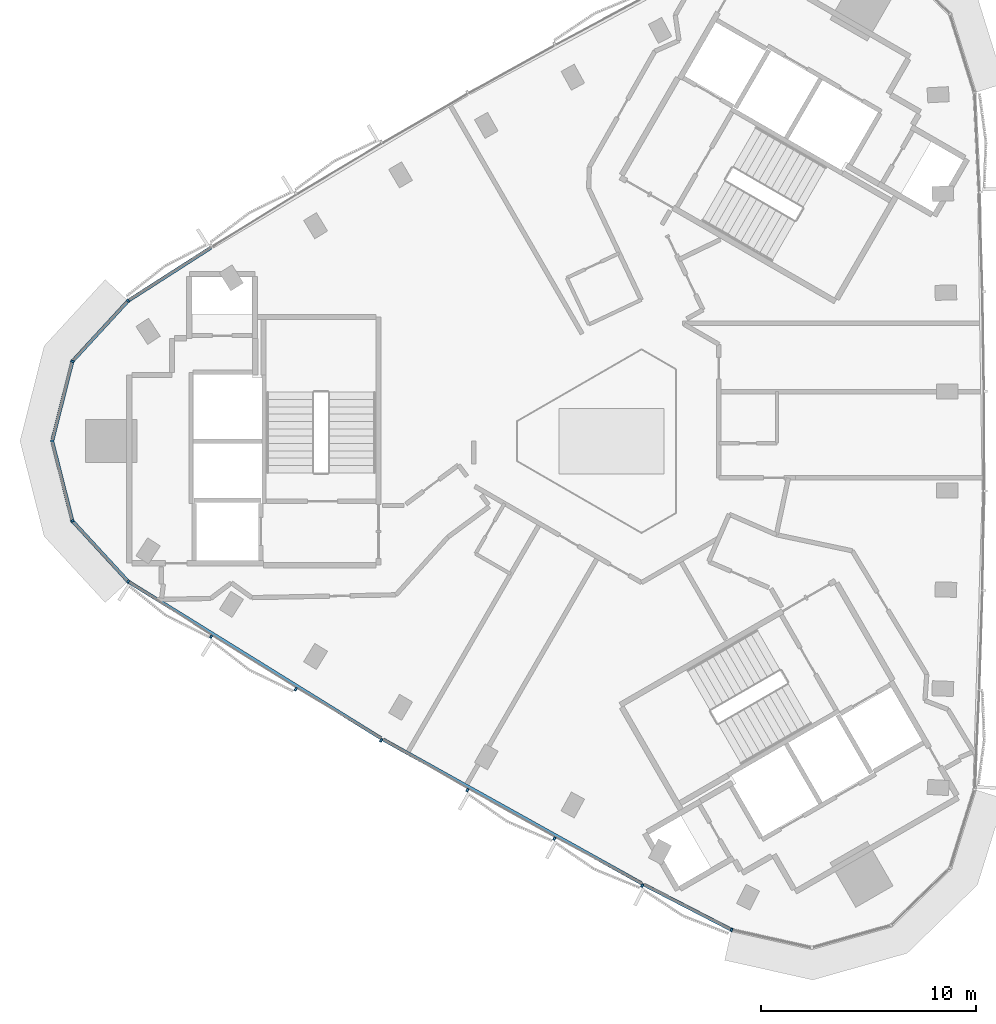
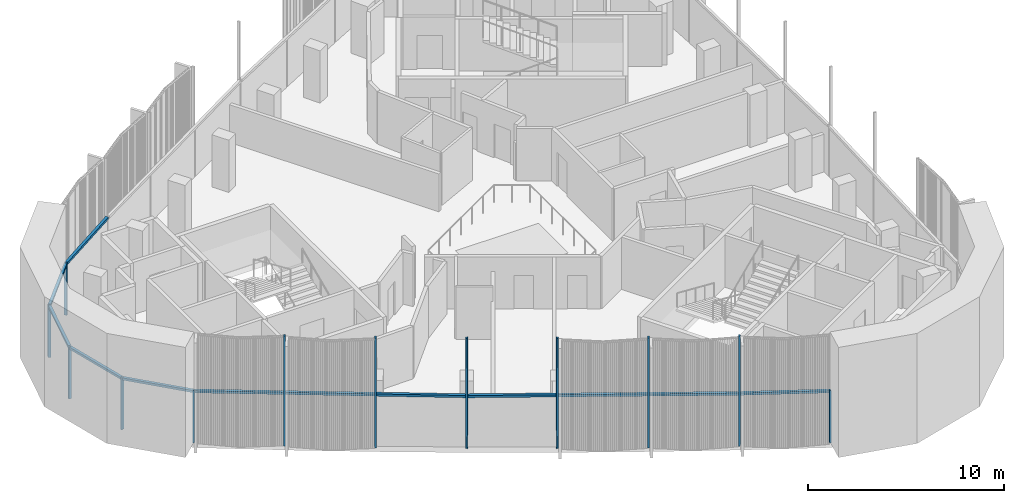
# One storey, part 2 of 12: 20 members, 2 elements without a shape of their own.
"""IFC4 building model written with IfcOpenShell, lengths in metres."""

from ifc_helpers import new_model, si_unit, direction, frame, origin, origin_2d, place, context, subcontext, project, spatial, rectangle, extrude, material, material_profile, profile_set, type_object, element, aggregate, save


model = new_model("IFC4")

# Units and contexts
model_context = context("Model", 3, precision=1e-05, world=origin(), true_north=direction((0.0, 1.0)))
body_context = subcontext(model_context, "Body", "Model", "MODEL_VIEW")
ifc_project = project(units=[si_unit("LENGTHUNIT", "METRE"), si_unit("AREAUNIT", "SQUARE_METRE"), si_unit("VOLUMEUNIT", "CUBIC_METRE"), si_unit("PLANEANGLEUNIT", "RADIAN"), si_unit("MASSUNIT", "GRAM", prefix="KILO")], contexts=[model_context])

# Site, building, storey
site_placement = place(None, origin())
site = spatial("IfcSite", under=ifc_project, at=site_placement, CompositionType="ELEMENT")
building_placement = place(site_placement, origin())
building = spatial("IfcBuilding", under=site, at=building_placement, Name="Tamra Quay Hotel Tower", CompositionType="ELEMENT")
storey_placement = place(building_placement, frame((0.0, 0.0, 262.199951171875)))
storey = spatial("IfcBuildingStorey", under=building, at=storey_placement, Name="L66", CompositionType="ELEMENT", Elevation=262.199951171875)

# Curtain wall, members
ifc_material = material(Name="Aluminium 6063 anodised dark grey", Category="aluminium")
curtain_wall_type_1 = type_object("IfcCurtainWallType", Name="CW2 CURTAIN WALL", PredefinedType="NOTDEFINED", material=ifc_material)
curtain_wall_1_placement = place(storey_placement, origin())
curtain_wall_1 = element("IfcCurtainWall", 1, at=curtain_wall_1_placement, inside=storey, type_object=curtain_wall_type_1, Name="CW2 north-west face L66", PredefinedType="NOTDEFINED")
ifc_material_profile_1 = material_profile(ifc_material, rectangle(XDim=0.159912109375, YDim=0.10009765625, at=origin_2d()), Name="MULLION 100X160")
ifc_profile_set_1 = profile_set([ifc_material_profile_1], Name="Aluminium 6063 anodised dark grey")
member_type_1 = type_object("IfcMemberType", Name="MULLION CW2 Z6", PredefinedType="MULLION", material=ifc_profile_set_1)
member_1_placement = place(storey_placement, frame((-22.488525390625, 6.530517578125, 0.0), z_axis=(0.0, 0.0, 1.0), x_axis=(-0.643086474198, 0.765793566638, 0.0)))
member_1 = element("IfcMember", 2, at=member_1_placement, type_object=member_type_1, Name="CW2 mullion L66.NW.8", PredefinedType="MULLION", context=body_context, shape_type="SweptSolid", body=[
    extrude(rectangle(XDim=0.159912109375, YDim=0.10009765625, at=origin_2d()), origin(), (0.0, 0.0, 1.0), 3.25),
])
member_2_placement = place(storey_placement, frame((-25.0830078125, 3.712890625, 0.0), z_axis=(0.0, 0.0, 1.0), x_axis=(-0.879433050093, 0.476022594427, 0.0)))
member_2 = element("IfcMember", 3, at=member_2_placement, type_object=member_type_1, Name="CW2 mullion L66.NW.9", PredefinedType="MULLION", context=body_context, shape_type="SweptSolid", body=[
    extrude(rectangle(XDim=0.159912109375, YDim=0.10009765625, at=origin_2d()), origin(), (0.0, 0.0, 1.0), 3.25),
])
member_3_placement = place(storey_placement, frame((-26.0234375, 0.0, 0.0), z_axis=(0.0, 0.0, 1.0), x_axis=(-1.0, 0.0, 0.0)))
member_3 = element("IfcMember", 4, at=member_3_placement, type_object=member_type_1, Name="CW2 mullion L66.NW.10", PredefinedType="MULLION", context=body_context, shape_type="SweptSolid", body=[
    extrude(rectangle(XDim=0.159912109375, YDim=0.10009765625, at=origin_2d()), origin(), (0.0, 0.0, 1.0), 3.25),
])
member_4_placement = place(storey_placement, frame((-25.0830078125, -3.712890625, 0.0), z_axis=(0.0, 0.0, 1.0), x_axis=(-0.879433050093, -0.476022594427, 0.0)))
member_4 = element("IfcMember", 5, at=member_4_placement, type_object=member_type_1, Name="CW2 mullion L66.NW.11", PredefinedType="MULLION", context=body_context, shape_type="SweptSolid", body=[
    extrude(rectangle(XDim=0.159912109375, YDim=0.10009765625, at=origin_2d()), origin(), (0.0, 0.0, 1.0), 3.25),
])

curtain_wall_type_2 = type_object("IfcCurtainWallType", Name="CW3 CURTAIN WALL", PredefinedType="NOTDEFINED", material=ifc_material)
curtain_wall_2_placement = place(storey_placement, origin())
curtain_wall_2 = element("IfcCurtainWall", 6, at=curtain_wall_2_placement, inside=storey, type_object=curtain_wall_type_2, Name="CW3 south-west face L66", PredefinedType="NOTDEFINED")
ifc_material_profile_2 = material_profile(ifc_material, rectangle(XDim=0.159912109375, YDim=0.10009765625, at=origin_2d()), Name="MULLION 100X160")
ifc_profile_set_2 = profile_set([ifc_material_profile_2], Name="Aluminium 6063 anodised dark grey")
member_type_2 = type_object("IfcMemberType", Name="MULLION CW3 Z6", PredefinedType="MULLION", material=ifc_profile_set_2)
member_5_placement = place(storey_placement, frame((-22.488525390625, -6.530517578125, 0.0), z_axis=(0.0, 0.0, 1.0), x_axis=(-0.643086474198, -0.765793566638, 0.0)))
member_5 = element("IfcMember", 7, at=member_5_placement, type_object=member_type_2, Name="CW3 mullion L66.SW.1", PredefinedType="MULLION", context=body_context, shape_type="SweptSolid", body=[
    extrude(rectangle(XDim=0.159912109375, YDim=0.10009765625, at=origin_2d()), origin(), (0.0, 0.0, 1.0), 3.25),
])
member_6_placement = place(storey_placement, frame((-18.630615234375, -9.100830078125, 0.0), z_axis=(0.0, 0.0, 1.0), x_axis=(-0.533422294029, -0.845849074146, 0.0)))
member_6 = element("IfcMember", 8, at=member_6_placement, type_object=member_type_2, Name="CW3 mullion L66.SW.2", PredefinedType="MULLION", context=body_context, shape_type="SweptSolid", body=[
    extrude(rectangle(XDim=0.159912109375, YDim=0.10009765625, at=origin_2d()), origin(), (0.0, 0.0, 1.0), 6.85009765625),
])
member_7_placement = place(storey_placement, frame((-14.691650390625, -11.542236328125, 0.0), z_axis=(0.0, 0.0, 1.0), x_axis=(-0.520160390508, -0.854068596862, 0.0)))
member_7 = element("IfcMember", 9, at=member_7_placement, type_object=member_type_2, Name="CW3 mullion L66.SW.3", PredefinedType="MULLION", context=body_context, shape_type="SweptSolid", body=[
    extrude(rectangle(XDim=0.159912109375, YDim=0.10009765625, at=origin_2d()), origin(), (0.0, 0.0, 1.0), 6.85009765625),
])
member_8_placement = place(storey_placement, frame((-10.714111328125, -13.92236328125, 0.0), z_axis=(0.0, 0.0, 1.0), x_axis=(-0.506753957891, -0.862090729658, 0.0)))
member_8 = element("IfcMember", 10, at=member_8_placement, type_object=member_type_2, Name="CW3 mullion L66.SW.4", PredefinedType="MULLION", context=body_context, shape_type="SweptSolid", body=[
    extrude(rectangle(XDim=0.159912109375, YDim=0.10009765625, at=origin_2d()), origin(), (0.0, 0.0, 1.0), 6.85009765625),
])
member_9_placement = place(storey_placement, frame((-6.699951171875, -16.23974609375, 0.0), z_axis=(0.0, 0.0, 1.0), x_axis=(-0.493215493305, -0.869907165831, 0.0)))
member_9 = element("IfcMember", 11, at=member_9_placement, type_object=member_type_2, Name="CW3 mullion L66.SW.5", PredefinedType="MULLION", context=body_context, shape_type="SweptSolid", body=[
    extrude(rectangle(XDim=0.159912109375, YDim=0.10009765625, at=origin_2d()), origin(), (0.0, 0.0, 1.0), 6.85009765625),
])
member_10_placement = place(storey_placement, frame((-2.650146484375, -18.494384765625, 0.0), z_axis=(0.0, 0.0, 1.0), x_axis=(-0.479564906203, -0.877506410654, 0.0)))
member_10 = element("IfcMember", 12, at=member_10_placement, type_object=member_type_2, Name="CW3 mullion L66.SW.6", PredefinedType="MULLION", context=body_context, shape_type="SweptSolid", body=[
    extrude(rectangle(XDim=0.159912109375, YDim=0.10009765625, at=origin_2d()), origin(), (0.0, 0.0, 1.0), 6.85009765625),
])
member_11_placement = place(storey_placement, frame((1.43359375, -20.684814453125, 0.0), z_axis=(0.0, 0.0, 1.0), x_axis=(-0.465815638963, -0.884881794647, 0.0)))
member_11 = element("IfcMember", 13, at=member_11_placement, type_object=member_type_2, Name="CW3 mullion L66.SW.7", PredefinedType="MULLION", context=body_context, shape_type="SweptSolid", body=[
    extrude(rectangle(XDim=0.159912109375, YDim=0.10009765625, at=origin_2d()), origin(), (0.0, 0.0, 1.0), 6.85009765625),
])
member_12_placement = place(storey_placement, frame((5.588623046875, -22.740966796875, 0.0), z_axis=(0.0, 0.0, 1.0), x_axis=(-0.341653445664, -0.939826006804, 0.0)))
member_12 = element("IfcMember", 14, at=member_12_placement, type_object=member_type_2, Name="CW3 mullion L66.SW.8", PredefinedType="MULLION", context=body_context, shape_type="SweptSolid", body=[
    extrude(rectangle(XDim=0.159912109375, YDim=0.10009765625, at=origin_2d()), origin(), (0.0, 0.0, 1.0), 3.25),
])

# Member
ifc_material_profile_3 = material_profile(ifc_material, rectangle(XDim=0.159912109375, YDim=0.139892578125, at=origin_2d()), Name="TRANSOM 160X140")
ifc_profile_set_3 = profile_set([ifc_material_profile_3], Name="Aluminium 6063 anodised dark grey")
member_type_3 = type_object("IfcMemberType", Name="TRANSOM CW2 Z6", PredefinedType="USERDEFINED", material=ifc_profile_set_3)
member_13_placement = place(storey_placement, frame((-18.6298828125, 9.006103515625, 3.179931640625), z_axis=(-0.841671458023, -0.539989959859, 0.0), x_axis=(0.539989959859, -0.841671458023, 0.0)))
member_13 = element("IfcMember", 15, at=member_13_placement, type_object=member_type_3, Name="CW2 transom L66.NW.7", ObjectType="TRANSOM", PredefinedType="USERDEFINED", context=body_context, shape_type="SweptSolid", body=[
    extrude(rectangle(XDim=0.159912109375, YDim=0.139892578125, at=origin_2d()), origin(), (0.0, 0.0, 1.0), 4.534423828125),
])

member_14_placement = place(storey_placement, frame((-22.522216796875, 6.493896484375, 3.179931640625), z_axis=(-0.677382568032, -0.735630924123, 0.0), x_axis=(0.735630924123, -0.677382568032, 0.0)))
member_14 = element("IfcMember", 16, at=member_14_placement, type_object=member_type_3, Name="CW2 transom L66.NW.8", ObjectType="TRANSOM", PredefinedType="USERDEFINED", context=body_context, shape_type="SweptSolid", body=[
    extrude(rectangle(XDim=0.159912109375, YDim=0.139892578125, at=origin_2d()), origin(), (0.0, 0.0, 1.0), 3.730224609375),
])

member_15_placement = place(storey_placement, frame((-25.09521484375, 3.66455078125, 3.179931640625), z_axis=(-0.245506732561, -0.96939488562, 0.0), x_axis=(0.96939488562, -0.245506732561, 0.0)))
member_15 = element("IfcMember", 17, at=member_15_placement, type_object=member_type_3, Name="CW2 transom L66.NW.9", ObjectType="TRANSOM", PredefinedType="USERDEFINED", context=body_context, shape_type="SweptSolid", body=[
    extrude(rectangle(XDim=0.159912109375, YDim=0.139892578125, at=origin_2d()), origin(), (0.0, 0.0, 1.0), 3.730224609375),
])

member_16_placement = place(storey_placement, frame((-26.010986328125, -0.048583984375, 3.179931640625), z_axis=(0.245506732561, -0.96939488562, 0.0), x_axis=(0.96939488562, 0.245506732561, 0.0)))
member_16 = element("IfcMember", 18, at=member_16_placement, type_object=member_type_3, Name="CW2 transom L66.NW.10", ObjectType="TRANSOM", PredefinedType="USERDEFINED", context=body_context, shape_type="SweptSolid", body=[
    extrude(rectangle(XDim=0.159912109375, YDim=0.139892578125, at=origin_2d()), origin(), (0.0, 0.0, 1.0), 3.730224609375),
])

member_17_placement = place(storey_placement, frame((-25.049072265625, -3.749755859375, 3.179931640625), z_axis=(0.677382568032, -0.735630924123, 0.0), x_axis=(0.735630924123, 0.677382568032, 0.0)))
member_17 = element("IfcMember", 19, at=member_17_placement, type_object=member_type_3, Name="CW2 transom L66.NW.11", ObjectType="TRANSOM", PredefinedType="USERDEFINED", context=body_context, shape_type="SweptSolid", body=[
    extrude(rectangle(XDim=0.159912109375, YDim=0.139892578125, at=origin_2d()), origin(), (0.0, 0.0, 1.0), 3.730224609375),
])

aggregate(curtain_wall_1, [member_13, member_1, member_14, member_2, member_15, member_3, member_16, member_4, member_17])

ifc_material_profile_4 = material_profile(ifc_material, rectangle(XDim=0.159912109375, YDim=0.139892578125, at=origin_2d()), Name="TRANSOM 160X140")
ifc_profile_set_4 = profile_set([ifc_material_profile_4], Name="Aluminium 6063 anodised dark grey")
member_type_4 = type_object("IfcMemberType", Name="TRANSOM CW3 Z6", PredefinedType="USERDEFINED", material=ifc_profile_set_4)
member_18_placement = place(storey_placement, frame((-22.4462890625, -6.5576171875, 3.179931640625), z_axis=(0.849981120272, -0.52681315016, 0.0), x_axis=(0.52681315016, 0.849981120272, 0.0)))
member_18 = element("IfcMember", 20, at=member_18_placement, type_object=member_type_4, Name="CW3 transom L66.SW.1", ObjectType="TRANSOM", PredefinedType="USERDEFINED", context=body_context, shape_type="SweptSolid", body=[
    extrude(rectangle(XDim=0.159912109375, YDim=0.139892578125, at=origin_2d()), origin(), (0.0, 0.0, 1.0), 13.800048828125),
])

member_19_placement = place(storey_placement, frame((-10.63037109375, -13.878173828125, 3.179931640625), z_axis=(0.873726321202, -0.486417840585, 0.0), x_axis=(0.486417840585, 0.873726321202, 0.0)))
member_19 = element("IfcMember", 21, at=member_19_placement, type_object=member_type_4, Name="CW3 transom L66.SW.4", ObjectType="TRANSOM", PredefinedType="USERDEFINED", context=body_context, shape_type="SweptSolid", body=[
    extrude(rectangle(XDim=0.159912109375, YDim=0.139892578125, at=origin_2d()), origin(), (0.0, 0.0, 1.0), 13.799560546875),
])

member_20_placement = place(storey_placement, frame((1.515380859375, -20.63720703125, 3.179931640625), z_axis=(0.888492499953, -0.45889113908, 0.0), x_axis=(0.45889113908, 0.888492499953, 0.0)))
member_20 = element("IfcMember", 22, at=member_20_placement, type_object=member_type_4, Name="CW3 transom L66.SW.7", ObjectType="TRANSOM", PredefinedType="USERDEFINED", context=body_context, shape_type="SweptSolid", body=[
    extrude(rectangle(XDim=0.159912109375, YDim=0.139892578125, at=origin_2d()), origin(), (0.0, 0.0, 1.0), 4.534423828125),
])

aggregate(curtain_wall_2, [member_5, member_18, member_6, member_7, member_8, member_19, member_9, member_10, member_11, member_20, member_12])

save(model, "model.ifc")
